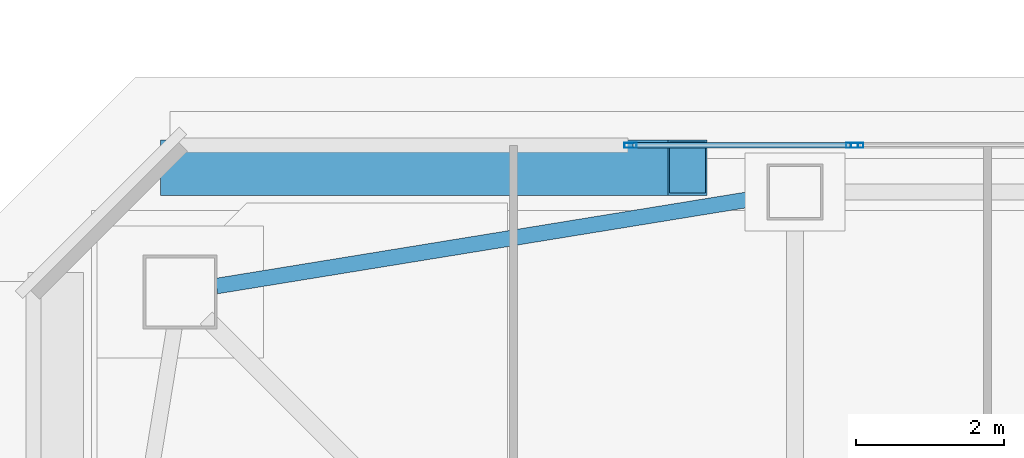
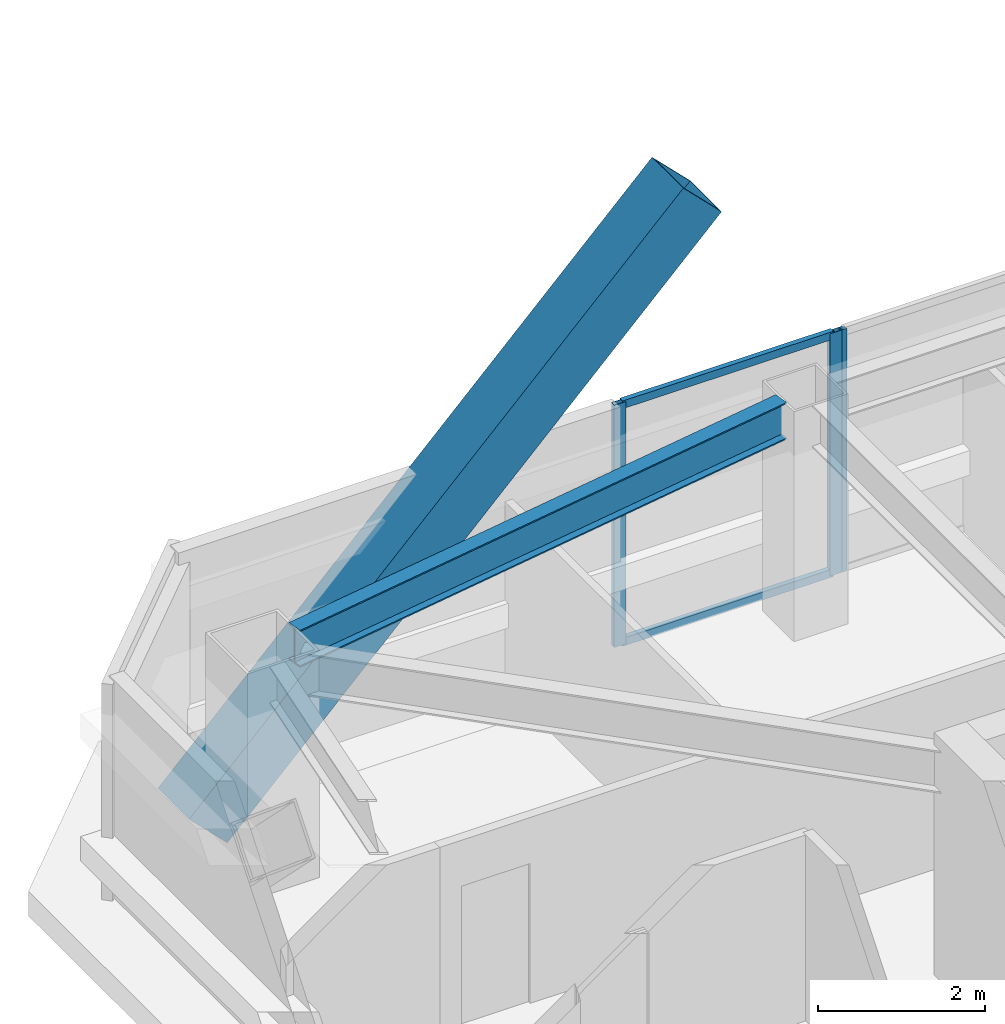
# One storey, part 12 of 39: 6 members, 1 beam, 2 elements without a shape of their own.
"""IFC4 building model written with IfcOpenShell, lengths in metres."""

from ifc_helpers import new_model, si_unit, direction, frame, origin, origin_2d, place, context, subcontext, project, spatial, hollow_rectangle, i_section, extrude, material, material_profile, profile_set, type_object, element, aggregate, save


model = new_model("IFC4")

# Units and contexts
model_context = context("Model", 3, precision=1e-05, world=origin(), true_north=direction((0.0, 1.0)))
body_context = subcontext(model_context, "Body", "Model", "MODEL_VIEW")
ifc_project = project(units=[si_unit("LENGTHUNIT", "METRE"), si_unit("AREAUNIT", "SQUARE_METRE"), si_unit("VOLUMEUNIT", "CUBIC_METRE"), si_unit("PLANEANGLEUNIT", "RADIAN"), si_unit("MASSUNIT", "GRAM", prefix="KILO")], contexts=[model_context])

# Site, building, storey
site_placement = place(None, origin())
site = spatial("IfcSite", under=ifc_project, at=site_placement, CompositionType="ELEMENT")
building_placement = place(site_placement, origin())
building = spatial("IfcBuilding", under=site, at=building_placement, Name="Tashvorn Skyway Center", CompositionType="ELEMENT")
storey_placement = place(building_placement, frame((0.0, 0.0, 232.60009765625)))
storey = spatial("IfcBuildingStorey", under=building, at=storey_placement, Name="L63", CompositionType="ELEMENT", Elevation=232.60009765625)

# Beam
ifc_material_1 = material(Name="Steel ASTM A992 Grade 50", Category="steel")
ifc_material_profile_1 = material_profile(ifc_material_1, i_section(OverallWidth=0.2109375, OverallDepth=0.5390625, WebThickness=0.01171875, FlangeThickness=0.018798828125, at=origin_2d()), Name="W21X73")
ifc_profile_set_1 = profile_set([ifc_material_profile_1], Name="Steel ASTM A992 Grade 50")
beam_type = type_object("IfcBeamType", Name="BM-SPANDREL-W21X73", PredefinedType="SPANDREL", material=ifc_profile_set_1)
beam_placement = place(storey_placement, frame((36.23486328125, 46.990478515625, 3.100341796875), z_axis=(-0.987033514444, -0.160514302677, 0.0), x_axis=(0.160514302677, -0.987033514444, 0.0)))
element("IfcBeam", 1, at=beam_placement, inside=storey, type_object=beam_type, Name="Tower 1 L63 Spandrel Beam 09", PredefinedType="SPANDREL", context=body_context, shape_type="SweptSolid", body=[
    extrude(i_section(OverallWidth=0.2109375, OverallDepth=0.5390625, WebThickness=0.01171875, FlangeThickness=0.018798828125, at=origin_2d()), origin(), (0.0, 0.0, 1.0), 7.544189453125),
])

# Curtain wall, members
ifc_material_2 = material(Name="Thermally broken bronze-anodized aluminium 6063-T6", Category="aluminium")
curtain_wall_type = type_object("IfcCurtainWallType", Name="CW-CW-Z5", PredefinedType="NOTDEFINED", material=ifc_material_2)
curtain_wall_1_placement = place(storey_placement, origin())
curtain_wall_1 = element("IfcCurtainWall", 2, at=curtain_wall_1_placement, inside=storey, type_object=curtain_wall_type, Name="Tower 1 L63 North Unitised Curtain Wall Glazing Group 1", PredefinedType="NOTDEFINED")
ifc_material_profile_2 = material_profile(ifc_material_2, hollow_rectangle(XDim=0.070068359375, YDim=0.1650390625, WallThickness=0.00390625, at=origin_2d()), Name="ALU-MULL-70x165")
ifc_profile_set_2 = profile_set([ifc_material_profile_2], Name="Thermally broken bronze-anodized aluminium 6063-T6")
member_type_1 = type_object("IfcMemberType", Name="CWM-CW-Z5", PredefinedType="MULLION", material=ifc_profile_set_2)
member_1_placement = place(storey_placement, frame((34.37939453125, 47.679931640625, 0.0), z_axis=(0.0, 0.0, 1.0), x_axis=(0.0, 1.0, 0.0)))
member_1 = element("IfcMember", 3, at=member_1_placement, type_object=member_type_1, Name="CW-Z5 mullion 1", PredefinedType="MULLION", context=body_context, shape_type="SweptSolid", body=[
    extrude(hollow_rectangle(XDim=0.070068359375, YDim=0.1650390625, WallThickness=0.00390625, at=origin_2d()), origin(), (0.0, 0.0, 1.0), 3.5498046875),
])
member_2_placement = place(storey_placement, frame((37.37158203125, 47.679931640625, 0.0), z_axis=(0.0, 0.0, 1.0), x_axis=(0.0, 1.0, 0.0)))
member_2 = element("IfcMember", 4, at=member_2_placement, type_object=member_type_1, Name="CW-Z5 mullion 2", PredefinedType="MULLION", context=body_context, shape_type="SweptSolid", body=[
    extrude(hollow_rectangle(XDim=0.070068359375, YDim=0.1650390625, WallThickness=0.00390625, at=origin_2d()), origin(), (0.0, 0.0, 1.0), 3.5498046875),
])

# Curtain wall, member
curtain_wall_2_placement = place(storey_placement, origin())
curtain_wall_2 = element("IfcCurtainWall", 5, at=curtain_wall_2_placement, inside=storey, type_object=curtain_wall_type, Name="Tower 1 L63 North Unitised Curtain Wall Glazing Group 2", PredefinedType="NOTDEFINED")
member_3_placement = place(storey_placement, frame((37.441650390625, 47.679931640625, 0.0), z_axis=(0.0, 0.0, 1.0), x_axis=(0.0, 1.0, 0.0)))
member_3 = element("IfcMember", 6, at=member_3_placement, type_object=member_type_1, Name="CW-Z5 mullion 1", PredefinedType="MULLION", context=body_context, shape_type="SweptSolid", body=[
    extrude(hollow_rectangle(XDim=0.070068359375, YDim=0.1650390625, WallThickness=0.00390625, at=origin_2d()), origin(), (0.0, 0.0, 1.0), 3.5498046875),
])
aggregate(curtain_wall_2, [member_3])

# Member
ifc_material_profile_3 = material_profile(ifc_material_2, hollow_rectangle(XDim=0.070068359375, YDim=0.114990234375, WallThickness=0.00390625, at=origin_2d()), Name="ALU-TRAN-70x115")
ifc_profile_set_3 = profile_set([ifc_material_profile_3], Name="Thermally broken bronze-anodized aluminium 6063-T6")
member_type_2 = type_object("IfcMemberType", Name="CWT-CW-Z5", PredefinedType="USERDEFINED", material=ifc_profile_set_3)
member_4_placement = place(storey_placement, frame((34.414306640625, 47.679931640625, 0.034912109375), z_axis=(1.0, 0.0, 0.0), x_axis=(0.0, 1.0, 0.0)))
member_4 = element("IfcMember", 7, at=member_4_placement, type_object=member_type_2, Name="CW-Z5 transom 1.1", ObjectType="TRANSOM", PredefinedType="USERDEFINED", context=body_context, shape_type="SweptSolid", body=[
    extrude(hollow_rectangle(XDim=0.070068359375, YDim=0.114990234375, WallThickness=0.00390625, at=origin_2d()), origin(), (0.0, 0.0, 1.0), 2.92236328125),
])

member_5_placement = place(storey_placement, frame((34.414306640625, 47.679931640625, 3.514892578125), z_axis=(1.0, 0.0, 0.0), x_axis=(0.0, 1.0, 0.0)))
member_5 = element("IfcMember", 8, at=member_5_placement, type_object=member_type_2, Name="CW-Z5 transom 1.2", ObjectType="TRANSOM", PredefinedType="USERDEFINED", context=body_context, shape_type="SweptSolid", body=[
    extrude(hollow_rectangle(XDim=0.070068359375, YDim=0.114990234375, WallThickness=0.00390625, at=origin_2d()), origin(), (0.0, 0.0, 1.0), 2.92236328125),
])

aggregate(curtain_wall_1, [member_1, member_2, member_4, member_5])

ifc_material_3 = material(Name="Steel ASTM A572 Grade 50", Category="steel")
ifc_material_profile_4 = material_profile(ifc_material_3, hollow_rectangle(XDim=0.75, YDim=0.75, WallThickness=0.031982421875, at=origin_2d()), Name="BOX750x750x32")
ifc_profile_set_4 = profile_set([ifc_material_profile_4], Name="Steel ASTM A572 Grade 50")
member_type_3 = type_object("IfcMemberType", Name="MEM-MB-750", PredefinedType="BRACE", material=ifc_profile_set_4)
member_6_placement = place(storey_placement, frame((28.300048828125, 47.3798828125, -0.2001953125), z_axis=(0.707094180045, 0.0, 0.707119382104), x_axis=(0.0, 1.0, 0.0)))
element("IfcMember", 9, at=member_6_placement, inside=storey, type_object=member_type_3, Name="Tower 1 Zone 6 N Chevron Mega-Brace R1", PredefinedType="BRACE", context=body_context, shape_type="SweptSolid", body=[
    extrude(hollow_rectangle(XDim=0.75, YDim=0.75, WallThickness=0.031982421875, at=origin_2d()), origin(), (0.0, 0.0, 1.0), 9.687255859375),
])

save(model, "model.ifc")
